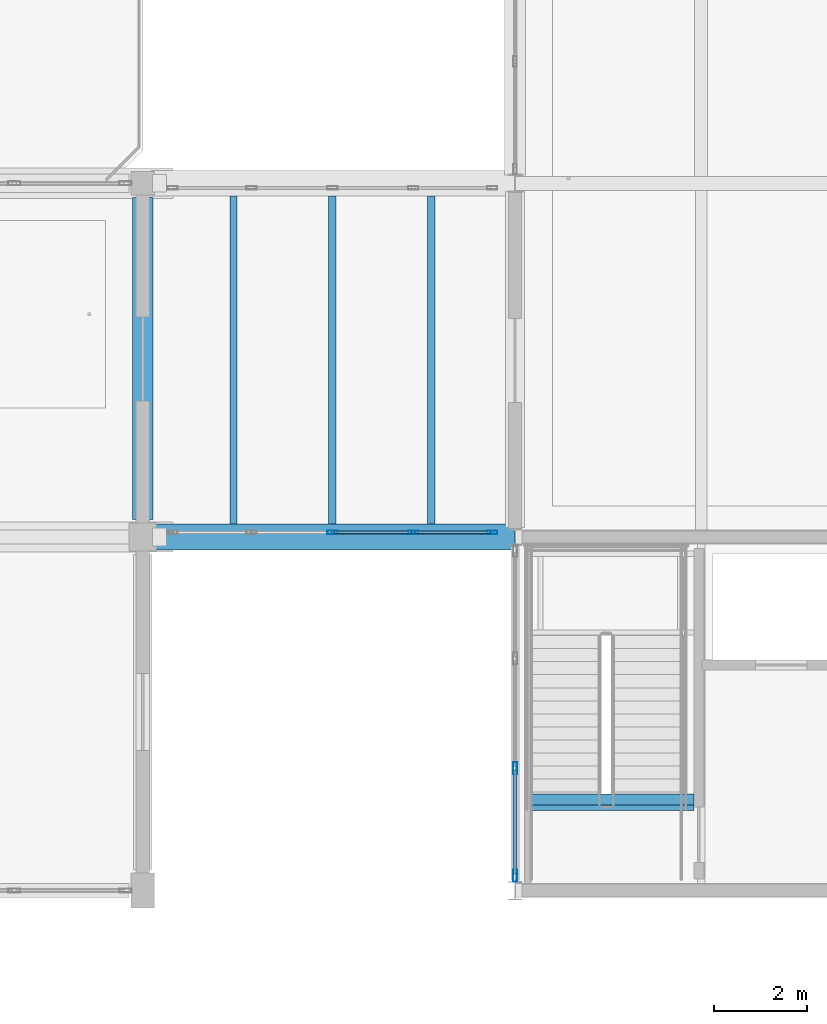
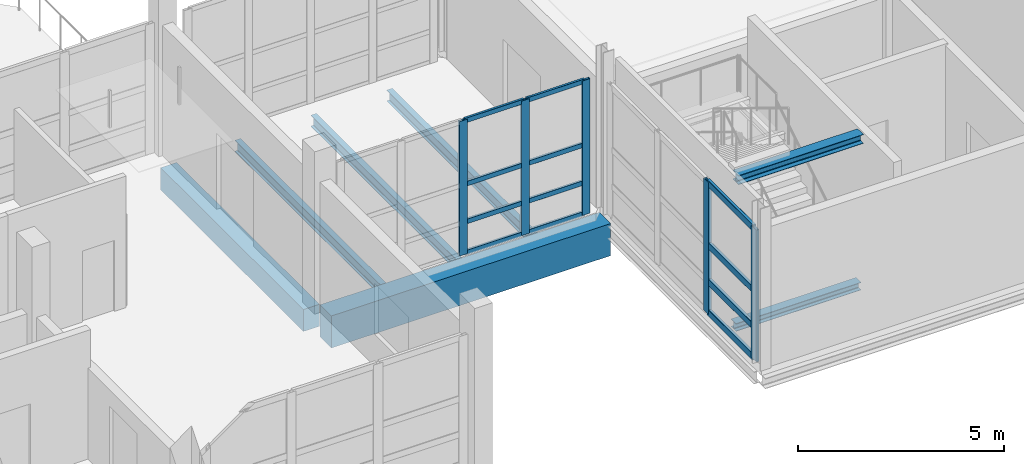
# One storey, part 39 of 147: 17 members, 7 beams, 2 elements without a shape of their own.
"""IFC4 building model written with IfcOpenShell, lengths in metres."""

import ifcopenshell
import ifcopenshell.guid

model = None  # the IFC model being written
_history = None  # IfcOwnerHistory: only IFC2X3 demands one
_inside = {}  # id of a spatial element -> (the spatial element, [elements in it])
_under = {}  # id of a project, library or spatial element -> (it, [spatial elements below it])
_declared = {}  # id of a project -> (the project, [libraries it declares])
_typed = {}  # id of a type object -> (the type object, [elements of that type])
_made_of = {}  # id of a material, layer set ... -> (it, [elements and type objects made of it])


def new_model(schema):
    """Start an empty IFC model of exactly this schema.

    Asked for "IFC4X3", IfcOpenShell would pick the latest addendum, in which some entities
    have other attributes; the version numbers below select the first issue.
    IFC2X3 requires an IfcOwnerHistory on every rooted entity: one is made here for all.
    """
    global model, _history
    if schema == "IFC4X3":
        model = ifcopenshell.file(schema_version=(4, 3, 0, 0))
    else:
        model = ifcopenshell.file(schema=schema)
    _inside.clear()
    _under.clear()
    _declared.clear()
    _typed.clear()
    _made_of.clear()
    _history = None
    if model.schema == "IFC2X3":
        org = make("IfcOrganization", Name="unknown")
        user = make(
            "IfcPersonAndOrganization",
            ThePerson=make("IfcPerson", FamilyName="unknown"),
            TheOrganization=org,
        )
        app = make(
            "IfcApplication",
            ApplicationDeveloper=org,
            Version="unknown",
            ApplicationFullName="unknown",
            ApplicationIdentifier="unknown",
        )
        _history = make(
            "IfcOwnerHistory",
            OwningUser=user,
            OwningApplication=app,
            ChangeAction="ADDED",
            CreationDate=0,
        )
    return model


def make(cls, **values):
    """One entity of the class cls with the attributes given. An attribute that is None is left unset."""
    return model.create_entity(
        cls, **{name: value for name, value in values.items() if value is not None}
    )


def rooted(cls, **values):
    """An entity with a GlobalId (a new one), such as an element, a storey or a relation."""
    return make(cls, GlobalId=ifcopenshell.guid.new(), OwnerHistory=_history, **values)


def si_unit(unit_type, name, prefix=None):
    """IfcSIUnit, for example si_unit("LENGTHUNIT", "METRE", prefix="MILLI")."""
    return make("IfcSIUnit", UnitType=unit_type, Prefix=prefix, Name=name)


def assignment(units):
    """IfcUnitAssignment: the units of a project."""
    return None if units is None else make("IfcUnitAssignment", Units=units)


def point(xyz):
    """IfcCartesianPoint."""
    return None if xyz is None else make("IfcCartesianPoint", Coordinates=xyz)


def direction(xyz):
    """IfcDirection."""
    return None if xyz is None else make("IfcDirection", DirectionRatios=xyz)


def frame(location, z_axis=None, x_axis=None):
    """IfcAxis2Placement3D, a coordinate frame: its origin and axes. An axis left out is left unset."""
    return make(
        "IfcAxis2Placement3D",
        Location=point(location),
        Axis=direction(z_axis),
        RefDirection=direction(x_axis),
    )


def frame_2d(location, x_axis=None):
    """IfcAxis2Placement2D, a coordinate frame in the plane: its origin and x axis."""
    return make(
        "IfcAxis2Placement2D", Location=point(location), RefDirection=direction(x_axis)
    )


def origin():
    """The frame at (0, 0, 0) with its axes left unset."""
    return frame((0.0, 0.0, 0.0))


def origin_2d():
    """The frame at (0, 0) in the plane with its x axis left unset."""
    return frame_2d((0.0, 0.0))


def place(relative_to, where):
    """IfcLocalPlacement: puts the frame where relative to a parent placement (None: the world)."""
    return make(
        "IfcLocalPlacement", PlacementRelTo=relative_to, RelativePlacement=where
    )


def context(
    kind, dimensions, precision=None, world=None, true_north=None, identifier=None
):
    """IfcGeometricRepresentationContext, for example the 3D "Model" context."""
    return make(
        "IfcGeometricRepresentationContext",
        ContextIdentifier=identifier,
        ContextType=kind,
        CoordinateSpaceDimension=dimensions,
        Precision=precision,
        WorldCoordinateSystem=world,
        TrueNorth=true_north,
    )


def subcontext(parent, identifier, kind, view, scale=None):
    """IfcGeometricRepresentationSubContext, for example "Body" below "Model"."""
    return make(
        "IfcGeometricRepresentationSubContext",
        ContextIdentifier=identifier,
        ContextType=kind,
        ParentContext=parent,
        TargetScale=scale,
        TargetView=view,
    )


def project(units=None, contexts=None):
    """IfcProject with its units and contexts."""
    return rooted(
        "IfcProject",
        Name="project",
        RepresentationContexts=contexts,
        UnitsInContext=assignment(units),
    )


def spatial(cls, under=None, at=None, **own):
    """A site, building, storey or space (cls), placed at a placement, below another one or the project."""
    s = rooted(cls, ObjectPlacement=at, **own)
    if under is not None:
        _under.setdefault(under.id(), (under, []))[1].append(s)
    return s


def profile(cls, at=None, kind="AREA", **sizes):
    """A parametric profile (cls). Its sizes go by their IFC names, for example OverallWidth=200.0."""
    return make(cls, ProfileType=kind, Position=at, **sizes)


def rectangle(**sizes):
    """IfcRectangleProfileDef."""
    return profile("IfcRectangleProfileDef", **sizes)


def hollow_rectangle(**sizes):
    """IfcRectangleHollowProfileDef."""
    return profile("IfcRectangleHollowProfileDef", **sizes)


def i_section(**sizes):
    """IfcIShapeProfileDef."""
    return profile("IfcIShapeProfileDef", **sizes)


def extrude(swept, where, along, depth):
    """IfcExtrudedAreaSolid: the profile swept, set in the frame where, extruded along a direction by depth."""
    return make(
        "IfcExtrudedAreaSolid",
        SweptArea=swept,
        Position=where,
        ExtrudedDirection=direction(along),
        Depth=depth,
    )


def shape(context_of_items, identifier, shape_type, items):
    """IfcShapeRepresentation: the items that make up one representation, for example the "Body"."""
    return make(
        "IfcShapeRepresentation",
        ContextOfItems=context_of_items,
        RepresentationIdentifier=identifier,
        RepresentationType=shape_type,
        Items=items,
    )


def material(Name=None, Category=None):
    """IfcMaterial."""
    return make("IfcMaterial", Name=Name, Category=Category)


def material_profile(
    of_material, cross_section, Name=None, Category=None, Priority=None
):
    """IfcMaterialProfile: a cross section and its material."""
    return make(
        "IfcMaterialProfile",
        Name=Name,
        Material=of_material,
        Profile=cross_section,
        Priority=Priority,
        Category=Category,
    )


def profile_set(profiles, Name=None, composite=None):
    """IfcMaterialProfileSet."""
    return make(
        "IfcMaterialProfileSet",
        Name=Name,
        MaterialProfiles=profiles,
        CompositeProfile=composite,
    )


def made_of(thing, what):
    """Note that an element or type object is made of a material, layer set ...; save() writes the relation."""
    if what is not None:
        _made_of.setdefault(what.id(), (what, []))[1].append(thing)
    return thing


def type_object(cls, material=None, **own):
    """A type object (cls), such as IfcWallType, which elements share."""
    return made_of(rooted(cls, **own), material)


def element(
    cls,
    number,
    at=None,
    inside=None,
    cuts=None,
    type_object=None,
    material=None,
    context=None,
    identifier="Body",
    shape_type=None,
    held_by="IfcProductDefinitionShape",
    body=None,
    shapes=None,
    **own,
):
    """One element of the class cls, such as IfcWall. Its Tag is "e" and its number.

    at: its placement. inside: the storey or other place that contains it. cuts: it is an
    opening in that element (IfcRelVoidsElement). A single representation is given by context,
    identifier, shape_type and body (its items); several are given by shapes. held_by: the class
    of the entity that holds the representations. save() writes the other relations.
    """
    e = rooted(cls, Tag="e%d" % number, ObjectPlacement=at, **own)
    if body is not None:
        shapes = [shape(context, identifier, shape_type, body)]
    if shapes is not None:
        e.Representation = make(held_by, Representations=shapes)
    if inside is not None:
        _inside.setdefault(inside.id(), (inside, []))[1].append(e)
    if cuts is not None:
        rooted(
            "IfcRelVoidsElement", RelatingBuildingElement=cuts, RelatedOpeningElement=e
        )
    if type_object is not None:
        _typed.setdefault(type_object.id(), (type_object, []))[1].append(e)
    return made_of(e, material)


def aggregate(whole, parts):
    """IfcRelAggregates: a whole, such as a stair, and the parts it consists of."""
    return rooted("IfcRelAggregates", RelatingObject=whole, RelatedObjects=parts)


def save(model, path):
    """Write the relations noted so far, then the file.

    IfcRelAggregates (storeys below a building ...), IfcRelContainedInSpatialStructure (elements
    in a storey), IfcRelDefinesByType, IfcRelAssociatesMaterial and IfcRelDeclares: one each for
    every whole, place, type object, material and project.
    """
    for whole, parts in _under.values():
        aggregate(whole, parts)
    for where, things in _inside.values():
        rooted(
            "IfcRelContainedInSpatialStructure",
            RelatedElements=things,
            RelatingStructure=where,
        )
    for kind, things in _typed.values():
        rooted("IfcRelDefinesByType", RelatedObjects=things, RelatingType=kind)
    for what, things in _made_of.values():
        rooted("IfcRelAssociatesMaterial", RelatedObjects=things, RelatingMaterial=what)
    for by, libraries in _declared.values():
        rooted("IfcRelDeclares", RelatingContext=by, RelatedDefinitions=libraries)
    model.write(path)


model = new_model("IFC4")

# Units and contexts
model_context = context("Model", 3, precision=1e-05, world=origin(), true_north=direction((0.0, 1.0)))
body_context = subcontext(model_context, "Body", "Model", "MODEL_VIEW")
ifc_project = project(units=[si_unit("LENGTHUNIT", "METRE"), si_unit("AREAUNIT", "SQUARE_METRE"), si_unit("VOLUMEUNIT", "CUBIC_METRE"), si_unit("PLANEANGLEUNIT", "RADIAN"), si_unit("MASSUNIT", "GRAM", prefix="KILO")], contexts=[model_context])

# Site, building, storey
site_placement = place(None, origin())
site = spatial("IfcSite", under=ifc_project, at=site_placement, CompositionType="ELEMENT")
building_placement = place(site_placement, origin())
building = spatial("IfcBuilding", under=site, at=building_placement, Name="Khelvaren Railside Concert Hall", CompositionType="ELEMENT")
storey_placement = place(building_placement, frame((0.0, 0.0, 5.39990234375)))
storey = spatial("IfcBuildingStorey", under=building, at=storey_placement, Name="L01", CompositionType="ELEMENT", Elevation=5.39990234375)

# Beams
ifc_material_1 = material(Name="Steel S355", Category="steel")
ifc_material_profile_1 = material_profile(ifc_material_1, i_section(OverallWidth=0.239990234375, OverallDepth=0.22998046875, WebThickness=0.007568359375, FlangeThickness=0.011962890625, FilletRadius=0.02099609375, at=origin_2d()), Name="HEA 240")
ifc_profile_set_1 = profile_set([ifc_material_profile_1], Name="Steel S355")
beam_type_1 = type_object("IfcBeamType", Name="BM42", PredefinedType="BEAM", material=ifc_profile_set_1)
beam_1_placement = place(storey_placement, frame((144.344970703125, 1.960693359375, -0.114990234375), z_axis=(1.0, 0.0, 0.0), x_axis=(0.0, 1.0, 0.0)))
element("IfcBeam", 1, at=beam_1_placement, inside=storey, type_object=beam_type_1, Name="ST-03 L01 Stair Foot Trimmer Beam", PredefinedType="BEAM", context=body_context, shape_type="SweptSolid", body=[
    extrude(i_section(OverallWidth=0.239990234375, OverallDepth=0.22998046875, WebThickness=0.007568359375, FlangeThickness=0.011962890625, FilletRadius=0.02099609375, at=origin_2d()), origin(), (0.0, 0.0, 1.0), 3.4951171875),
])
ifc_material_profile_2 = material_profile(ifc_material_1, i_section(OverallWidth=0.280029296875, OverallDepth=0.27001953125, WebThickness=0.008056640625, FlangeThickness=0.012939453125, FilletRadius=0.02392578125, at=origin_2d()), Name="HEA 280")
ifc_profile_set_2 = profile_set([ifc_material_profile_2], Name="Steel S355")
beam_type_2 = type_object("IfcBeamType", Name="BM93", PredefinedType="BEAM", material=ifc_profile_set_2)
beam_2_placement = place(storey_placement, frame((144.344970703125, 1.860107421875, 4.31787109375), z_axis=(1.0, 0.0, 0.0), x_axis=(0.0, 1.0, 0.0)))
element("IfcBeam", 2, at=beam_2_placement, inside=storey, type_object=beam_type_2, Name="ST-03 L01 Stair Top Arrival Trimmer Beam", PredefinedType="BEAM", context=body_context, shape_type="SweptSolid", body=[
    extrude(i_section(OverallWidth=0.280029296875, OverallDepth=0.27001953125, WebThickness=0.008056640625, FlangeThickness=0.012939453125, FilletRadius=0.02392578125, at=origin_2d()), origin(), (0.0, 0.0, 1.0), 3.4951171875),
])

# Curtain wall, members
ifc_material_2 = material(Name="Double-glazed clear foyer glass", Category="glass")
curtain_wall_type_1 = type_object("IfcCurtainWallType", Name="CW47", PredefinedType="USERDEFINED", material=ifc_material_2)
curtain_wall_1_placement = place(storey_placement, origin())
curtain_wall_1 = element("IfcCurtainWall", 3, at=curtain_wall_1_placement, inside=storey, type_object=curtain_wall_type_1, Name="Unitised Curtain Wall CW-LB2-L01-S", ObjectType="UNITISED CURTAIN WALL", PredefinedType="USERDEFINED")
ifc_material_3 = material(Name="Anodised architectural aluminium 6063-T6", Category="aluminium")
ifc_material_profile_3 = material_profile(ifc_material_3, hollow_rectangle(XDim=0.074951171875, YDim=0.219970703125, WallThickness=0.0048828125, InnerFilletRadius=0.0029296875, OuterFilletRadius=0.0048828125, at=origin_2d()), Name="CWM 75x220x5")
ifc_profile_set_3 = profile_set([ifc_material_profile_3], Name="Anodised architectural aluminium 6063-T6")
member_type_1 = type_object("IfcMemberType", Name="CWM13", PredefinedType="MULLION", material=ifc_profile_set_3)
member_1_placement = place(storey_placement, frame((143.512451171875, 7.699951171875, 0.0), z_axis=(0.0, 0.0, 1.0), x_axis=(0.0, -1.0, 0.0)))
member_1 = element("IfcMember", 4, at=member_1_placement, type_object=member_type_1, Name="CW47 mullion 1", PredefinedType="MULLION", context=body_context, shape_type="SweptSolid", body=[
    extrude(hollow_rectangle(XDim=0.074951171875, YDim=0.219970703125, WallThickness=0.0048828125, InnerFilletRadius=0.0029296875, OuterFilletRadius=0.0048828125, at=origin_2d()), origin(), (0.0, 0.0, 1.0), 3.97998046875),
])
member_2_placement = place(storey_placement, frame((141.8125, 7.699951171875, 0.0), z_axis=(0.0, 0.0, 1.0), x_axis=(0.0, -1.0, 0.0)))
member_2 = element("IfcMember", 5, at=member_2_placement, type_object=member_type_1, Name="CW47 mullion 2", PredefinedType="MULLION", context=body_context, shape_type="SweptSolid", body=[
    extrude(hollow_rectangle(XDim=0.074951171875, YDim=0.219970703125, WallThickness=0.0048828125, InnerFilletRadius=0.0029296875, OuterFilletRadius=0.0048828125, at=origin_2d()), origin(), (0.0, 0.0, 1.0), 3.97998046875),
])
member_3_placement = place(storey_placement, frame((140.074951171875, 7.699951171875, 0.0), z_axis=(0.0, 0.0, 1.0), x_axis=(0.0, -1.0, 0.0)))
member_3 = element("IfcMember", 6, at=member_3_placement, type_object=member_type_1, Name="CW47 mullion 3", PredefinedType="MULLION", context=body_context, shape_type="SweptSolid", body=[
    extrude(hollow_rectangle(XDim=0.074951171875, YDim=0.219970703125, WallThickness=0.0048828125, InnerFilletRadius=0.0029296875, OuterFilletRadius=0.0048828125, at=origin_2d()), origin(), (0.0, 0.0, 1.0), 3.97998046875),
])

ifc_material_4 = material(Name="Acoustic laminated crystal facade glass", Category="glass")
curtain_wall_type_2 = type_object("IfcCurtainWallType", Name="CW54", PredefinedType="USERDEFINED", material=ifc_material_4)
curtain_wall_2_placement = place(storey_placement, origin())
curtain_wall_2 = element("IfcCurtainWall", 7, at=curtain_wall_2_placement, inside=storey, type_object=curtain_wall_type_2, Name="Unitised Curtain Wall CW-V2-L01-W-0", ObjectType="UNITISED CURTAIN WALL", PredefinedType="USERDEFINED")
ifc_material_profile_4 = material_profile(ifc_material_3, hollow_rectangle(XDim=0.0849609375, YDim=0.260009765625, WallThickness=0.0048828125, InnerFilletRadius=0.0029296875, OuterFilletRadius=0.0048828125, at=origin_2d()), Name="CWM 85x260x5")
ifc_profile_set_4 = profile_set([ifc_material_profile_4], Name="Anodised architectural aluminium 6063-T6")
member_type_2 = type_object("IfcMemberType", Name="CWM40", PredefinedType="MULLION", material=ifc_profile_set_4)
member_4_placement = place(storey_placement, frame((144.0, 0.320068359375, 0.0), z_axis=(0.0, 0.0, 1.0), x_axis=(-1.0, 0.0, 0.0)))
member_4 = element("IfcMember", 8, at=member_4_placement, type_object=member_type_2, Name="CW54 mullion 1", PredefinedType="MULLION", context=body_context, shape_type="SweptSolid", body=[
    extrude(hollow_rectangle(XDim=0.0849609375, YDim=0.260009765625, WallThickness=0.0048828125, InnerFilletRadius=0.0029296875, OuterFilletRadius=0.0048828125, at=origin_2d()), origin(), (0.0, 0.0, 1.0), 3.900146484375),
])
member_5_placement = place(storey_placement, frame((144.0, 2.632568359375, 0.0), z_axis=(0.0, 0.0, 1.0), x_axis=(-1.0, 0.0, 0.0)))
member_5 = element("IfcMember", 9, at=member_5_placement, type_object=member_type_2, Name="CW54 mullion 2", PredefinedType="MULLION", context=body_context, shape_type="SweptSolid", body=[
    extrude(hollow_rectangle(XDim=0.0849609375, YDim=0.260009765625, WallThickness=0.0048828125, InnerFilletRadius=0.0029296875, OuterFilletRadius=0.0048828125, at=origin_2d()), origin(), (0.0, 0.0, 1.0), 3.900146484375),
])
ifc_material_profile_5 = material_profile(ifc_material_3, hollow_rectangle(XDim=0.0849609375, YDim=0.18994140625, WallThickness=0.0048828125, InnerFilletRadius=0.0029296875, OuterFilletRadius=0.0048828125, at=origin_2d()), Name="CWT 85x190x5")
ifc_profile_set_5 = profile_set([ifc_material_profile_5], Name="Anodised architectural aluminium 6063-T6")
member_type_3 = type_object("IfcMemberType", Name="CWT31", PredefinedType="USERDEFINED", material=ifc_profile_set_5)
member_6_placement = place(storey_placement, frame((144.0, 0.362548828125, 0.04248046875), z_axis=(0.0, 1.0, 0.0), x_axis=(-1.0, 0.0, 0.0)))
member_6 = element("IfcMember", 10, at=member_6_placement, type_object=member_type_3, Name="CW54 transom 1.1", ObjectType="TRANSOM", PredefinedType="USERDEFINED", context=body_context, shape_type="SweptSolid", body=[
    extrude(hollow_rectangle(XDim=0.0849609375, YDim=0.18994140625, WallThickness=0.0048828125, InnerFilletRadius=0.0029296875, OuterFilletRadius=0.0048828125, at=origin_2d()), origin(), (0.0, 0.0, 1.0), 2.2275390625),
])
member_7_placement = place(storey_placement, frame((144.0, 0.362548828125, 0.9501953125), z_axis=(0.0, 1.0, 0.0), x_axis=(-1.0, 0.0, 0.0)))
member_7 = element("IfcMember", 11, at=member_7_placement, type_object=member_type_3, Name="CW54 transom 1.2", ObjectType="TRANSOM", PredefinedType="USERDEFINED", context=body_context, shape_type="SweptSolid", body=[
    extrude(hollow_rectangle(XDim=0.0849609375, YDim=0.18994140625, WallThickness=0.0048828125, InnerFilletRadius=0.0029296875, OuterFilletRadius=0.0048828125, at=origin_2d()), origin(), (0.0, 0.0, 1.0), 2.2275390625),
])
member_8_placement = place(storey_placement, frame((144.0, 0.362548828125, 2.028076171875), z_axis=(0.0, 1.0, 0.0), x_axis=(-1.0, 0.0, 0.0)))
member_8 = element("IfcMember", 12, at=member_8_placement, type_object=member_type_3, Name="CW54 transom 1.3", ObjectType="TRANSOM", PredefinedType="USERDEFINED", context=body_context, shape_type="SweptSolid", body=[
    extrude(hollow_rectangle(XDim=0.0849609375, YDim=0.18994140625, WallThickness=0.0048828125, InnerFilletRadius=0.0029296875, OuterFilletRadius=0.0048828125, at=origin_2d()), origin(), (0.0, 0.0, 1.0), 2.2275390625),
])
member_9_placement = place(storey_placement, frame((144.0, 0.362548828125, 3.857666015625), z_axis=(0.0, 1.0, 0.0), x_axis=(-1.0, 0.0, 0.0)))
member_9 = element("IfcMember", 13, at=member_9_placement, type_object=member_type_3, Name="CW54 transom 1.4", ObjectType="TRANSOM", PredefinedType="USERDEFINED", context=body_context, shape_type="SweptSolid", body=[
    extrude(hollow_rectangle(XDim=0.0849609375, YDim=0.18994140625, WallThickness=0.0048828125, InnerFilletRadius=0.0029296875, OuterFilletRadius=0.0048828125, at=origin_2d()), origin(), (0.0, 0.0, 1.0), 2.2275390625),
])
aggregate(curtain_wall_2, [member_4, member_5, member_6, member_7, member_8, member_9])

# Member
ifc_material_profile_6 = material_profile(ifc_material_3, hollow_rectangle(XDim=0.06494140625, YDim=0.139892578125, WallThickness=0.00390625, InnerFilletRadius=0.001953125, OuterFilletRadius=0.00390625, at=origin_2d()), Name="CWT 65x140x4")
ifc_profile_set_6 = profile_set([ifc_material_profile_6], Name="Anodised architectural aluminium 6063-T6")
member_type_4 = type_object("IfcMemberType", Name="CWT72", PredefinedType="USERDEFINED", material=ifc_profile_set_6)
member_10_placement = place(storey_placement, frame((143.47509765625, 7.699951171875, 0.03271484375), z_axis=(-1.0, 0.0, 0.0), x_axis=(0.0, -1.0, 0.0)))
member_10 = element("IfcMember", 14, at=member_10_placement, type_object=member_type_4, Name="CW47 transom 1.1", ObjectType="TRANSOM", PredefinedType="USERDEFINED", context=body_context, shape_type="SweptSolid", body=[
    extrude(hollow_rectangle(XDim=0.06494140625, YDim=0.139892578125, WallThickness=0.00390625, InnerFilletRadius=0.001953125, OuterFilletRadius=0.00390625, at=origin_2d()), origin(), (0.0, 0.0, 1.0), 1.625),
])

member_11_placement = place(storey_placement, frame((143.47509765625, 7.699951171875, 0.9501953125), z_axis=(-1.0, 0.0, 0.0), x_axis=(0.0, -1.0, 0.0)))
member_11 = element("IfcMember", 15, at=member_11_placement, type_object=member_type_4, Name="CW47 transom 1.2", ObjectType="TRANSOM", PredefinedType="USERDEFINED", context=body_context, shape_type="SweptSolid", body=[
    extrude(hollow_rectangle(XDim=0.06494140625, YDim=0.139892578125, WallThickness=0.00390625, InnerFilletRadius=0.001953125, OuterFilletRadius=0.00390625, at=origin_2d()), origin(), (0.0, 0.0, 1.0), 1.625),
])

member_12_placement = place(storey_placement, frame((143.47509765625, 7.699951171875, 2.069580078125), z_axis=(-1.0, 0.0, 0.0), x_axis=(0.0, -1.0, 0.0)))
member_12 = element("IfcMember", 16, at=member_12_placement, type_object=member_type_4, Name="CW47 transom 1.3", ObjectType="TRANSOM", PredefinedType="USERDEFINED", context=body_context, shape_type="SweptSolid", body=[
    extrude(hollow_rectangle(XDim=0.06494140625, YDim=0.139892578125, WallThickness=0.00390625, InnerFilletRadius=0.001953125, OuterFilletRadius=0.00390625, at=origin_2d()), origin(), (0.0, 0.0, 1.0), 1.625),
])

member_13_placement = place(storey_placement, frame((143.47509765625, 7.699951171875, 3.947509765625), z_axis=(-1.0, 0.0, 0.0), x_axis=(0.0, -1.0, 0.0)))
member_13 = element("IfcMember", 17, at=member_13_placement, type_object=member_type_4, Name="CW47 transom 1.4", ObjectType="TRANSOM", PredefinedType="USERDEFINED", context=body_context, shape_type="SweptSolid", body=[
    extrude(hollow_rectangle(XDim=0.06494140625, YDim=0.139892578125, WallThickness=0.00390625, InnerFilletRadius=0.001953125, OuterFilletRadius=0.00390625, at=origin_2d()), origin(), (0.0, 0.0, 1.0), 1.625),
])

member_14_placement = place(storey_placement, frame((141.77490234375, 7.699951171875, 0.03271484375), z_axis=(-1.0, 0.0, 0.0), x_axis=(0.0, -1.0, 0.0)))
member_14 = element("IfcMember", 18, at=member_14_placement, type_object=member_type_4, Name="CW47 transom 2.1", ObjectType="TRANSOM", PredefinedType="USERDEFINED", context=body_context, shape_type="SweptSolid", body=[
    extrude(hollow_rectangle(XDim=0.06494140625, YDim=0.139892578125, WallThickness=0.00390625, InnerFilletRadius=0.001953125, OuterFilletRadius=0.00390625, at=origin_2d()), origin(), (0.0, 0.0, 1.0), 1.662353515625),
])

member_15_placement = place(storey_placement, frame((141.77490234375, 7.699951171875, 0.9501953125), z_axis=(-1.0, 0.0, 0.0), x_axis=(0.0, -1.0, 0.0)))
member_15 = element("IfcMember", 19, at=member_15_placement, type_object=member_type_4, Name="CW47 transom 2.2", ObjectType="TRANSOM", PredefinedType="USERDEFINED", context=body_context, shape_type="SweptSolid", body=[
    extrude(hollow_rectangle(XDim=0.06494140625, YDim=0.139892578125, WallThickness=0.00390625, InnerFilletRadius=0.001953125, OuterFilletRadius=0.00390625, at=origin_2d()), origin(), (0.0, 0.0, 1.0), 1.662353515625),
])

member_16_placement = place(storey_placement, frame((141.77490234375, 7.699951171875, 2.069580078125), z_axis=(-1.0, 0.0, 0.0), x_axis=(0.0, -1.0, 0.0)))
member_16 = element("IfcMember", 20, at=member_16_placement, type_object=member_type_4, Name="CW47 transom 2.3", ObjectType="TRANSOM", PredefinedType="USERDEFINED", context=body_context, shape_type="SweptSolid", body=[
    extrude(hollow_rectangle(XDim=0.06494140625, YDim=0.139892578125, WallThickness=0.00390625, InnerFilletRadius=0.001953125, OuterFilletRadius=0.00390625, at=origin_2d()), origin(), (0.0, 0.0, 1.0), 1.662353515625),
])

member_17_placement = place(storey_placement, frame((141.77490234375, 7.699951171875, 3.947509765625), z_axis=(-1.0, 0.0, 0.0), x_axis=(0.0, -1.0, 0.0)))
member_17 = element("IfcMember", 21, at=member_17_placement, type_object=member_type_4, Name="CW47 transom 2.4", ObjectType="TRANSOM", PredefinedType="USERDEFINED", context=body_context, shape_type="SweptSolid", body=[
    extrude(hollow_rectangle(XDim=0.06494140625, YDim=0.139892578125, WallThickness=0.00390625, InnerFilletRadius=0.001953125, OuterFilletRadius=0.00390625, at=origin_2d()), origin(), (0.0, 0.0, 1.0), 1.662353515625),
])

aggregate(curtain_wall_1, [member_1, member_2, member_3, member_10, member_11, member_12, member_13, member_14, member_15, member_16, member_17])

# Beams
ifc_material_5 = material(Name="Concrete C40/50", Category="concrete")
ifc_material_profile_7 = material_profile(ifc_material_5, rectangle(XDim=0.550048828125, YDim=0.949951171875, at=origin_2d()), Name="RCB 550x950")
ifc_profile_set_7 = profile_set([ifc_material_profile_7], Name="Concrete C40/50")
beam_type_3 = type_object("IfcBeamType", Name="GR75", PredefinedType="T_BEAM", material=ifc_profile_set_7)
beam_3_placement = place(storey_placement, frame((136.179931640625, 7.60009765625, -0.71484375), z_axis=(1.0, 0.0, 0.0), x_axis=(0.0, 1.0, 0.0)))
element("IfcBeam", 22, at=beam_3_placement, inside=storey, type_object=beam_type_3, Name="East Rehearsal Link Bridge L01 Bridge Girder 1", PredefinedType="T_BEAM", context=body_context, shape_type="SweptSolid", body=[
    extrude(rectangle(XDim=0.550048828125, YDim=0.949951171875, at=origin_2d()), origin(), (0.0, 0.0, 1.0), 7.820068359375),
])
ifc_material_profile_8 = material_profile(ifc_material_1, i_section(OverallWidth=0.159912109375, OverallDepth=0.330078125, WebThickness=0.007568359375, FlangeThickness=0.011474609375, FilletRadius=0.01806640625, at=origin_2d()), Name="IPE 330")
ifc_profile_set_8 = profile_set([ifc_material_profile_8], Name="Steel S355")
beam_type_4 = type_object("IfcBeamType", Name="JS65", PredefinedType="JOIST", material=ifc_profile_set_8)
for number, where, z_axis, x_axis, name in (
    (23, (137.949951171875, 7.875, -0.40478515625), (0.0, 1.0, 0.0), (-1.0, 0.0, 0.0), "East Rehearsal Link Bridge L01 Bridge Cross Joist 1"),
    (24, (140.074951171875, 7.875, -0.40478515625), (0.0, 1.0, 0.0), (-1.0, 0.0, 0.0), "East Rehearsal Link Bridge L01 Bridge Cross Joist 2"),
    (25, (142.199951171875, 7.875, -0.40478515625), (0.0, 1.0, 0.0), (-1.0, 0.0, 0.0), "East Rehearsal Link Bridge L01 Bridge Cross Joist 3"),
):
    element("IfcBeam", number, at=place(storey_placement, frame(where, z_axis=z_axis, x_axis=x_axis)), inside=storey, type_object=beam_type_4, Name=name, PredefinedType="JOIST", context=body_context, shape_type="SweptSolid", body=[
        extrude(i_section(OverallWidth=0.159912109375, OverallDepth=0.330078125, WebThickness=0.007568359375, FlangeThickness=0.011474609375, FilletRadius=0.01806640625, at=origin_2d()), origin(), (0.0, 0.0, 1.0), 7.050048828125),
    ])
ifc_material_profile_9 = material_profile(ifc_material_5, rectangle(XDim=0.449951171875, YDim=0.64990234375, at=origin_2d()), Name="RCB 450x650")
ifc_profile_set_9 = profile_set([ifc_material_profile_9], Name="Concrete C40/50")
beam_type_5 = type_object("IfcBeamType", Name="SP34", PredefinedType="SPANDREL", material=ifc_profile_set_9)
beam_4_placement = place(storey_placement, frame((136.0, 7.97509765625, -0.625), z_axis=(0.0, 1.0, 0.0), x_axis=(-1.0, 0.0, 0.0)))
element("IfcBeam", 26, at=beam_4_placement, inside=storey, type_object=beam_type_5, Name="V3 L01 Spandrel Y10.2", PredefinedType="SPANDREL", context=body_context, shape_type="SweptSolid", body=[
    extrude(rectangle(XDim=0.449951171875, YDim=0.64990234375, at=origin_2d()), origin(), (0.0, 0.0, 1.0), 6.9248046875),
])

save(model, "model.ifc")
